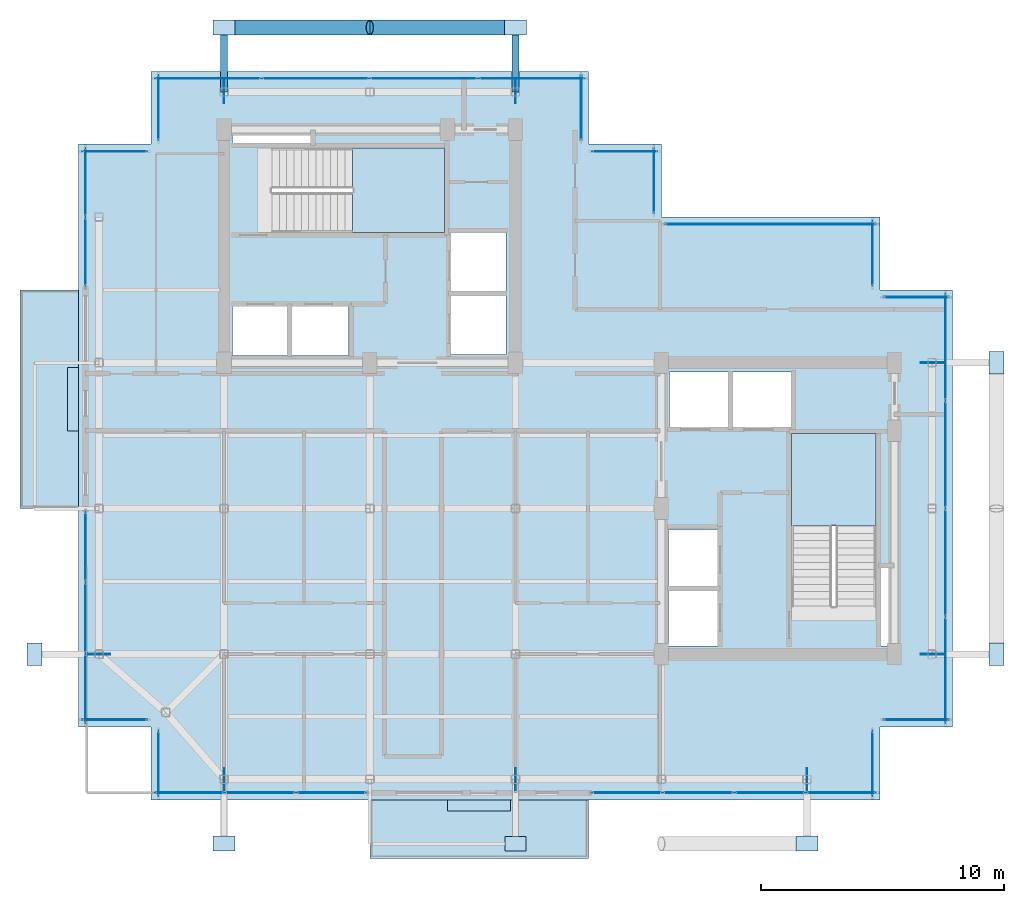
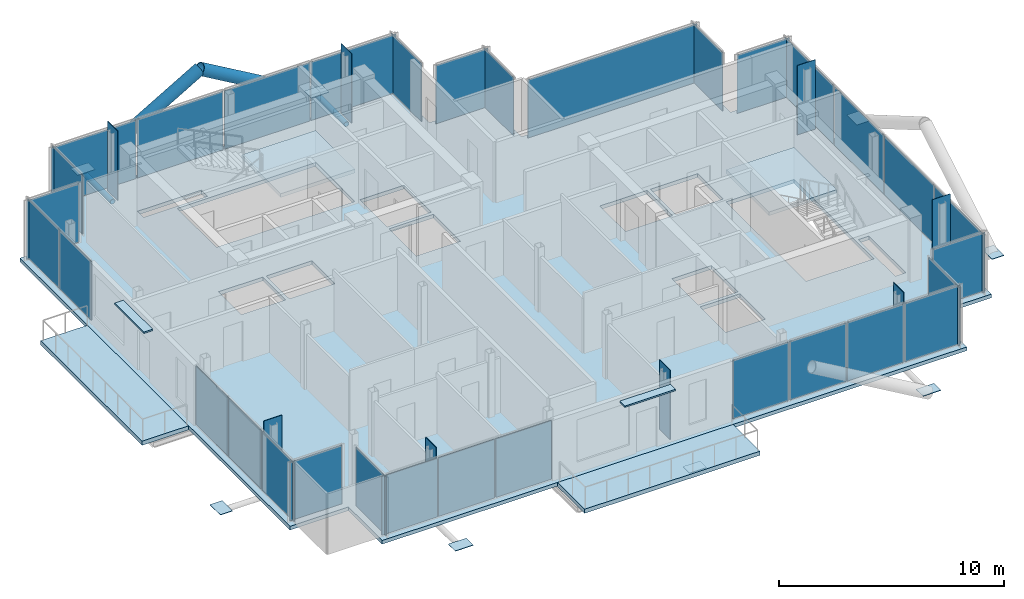
# One storey, part 13 of 18: 50 plates, 5 slabs, 4 members, 20 elements without a shape of their own.
"""IFC4 building model written with IfcOpenShell, lengths in metres."""

import ifcopenshell
import ifcopenshell.guid

model = None  # the IFC model being written
_history = None  # IfcOwnerHistory: only IFC2X3 demands one
_inside = {}  # id of a spatial element -> (the spatial element, [elements in it])
_under = {}  # id of a project, library or spatial element -> (it, [spatial elements below it])
_declared = {}  # id of a project -> (the project, [libraries it declares])
_typed = {}  # id of a type object -> (the type object, [elements of that type])
_made_of = {}  # id of a material, layer set ... -> (it, [elements and type objects made of it])


def new_model(schema):
    """Start an empty IFC model of exactly this schema.

    Asked for "IFC4X3", IfcOpenShell would pick the latest addendum, in which some entities
    have other attributes; the version numbers below select the first issue.
    IFC2X3 requires an IfcOwnerHistory on every rooted entity: one is made here for all.
    """
    global model, _history
    if schema == "IFC4X3":
        model = ifcopenshell.file(schema_version=(4, 3, 0, 0))
    else:
        model = ifcopenshell.file(schema=schema)
    _inside.clear()
    _under.clear()
    _declared.clear()
    _typed.clear()
    _made_of.clear()
    _history = None
    if model.schema == "IFC2X3":
        org = make("IfcOrganization", Name="unknown")
        user = make(
            "IfcPersonAndOrganization",
            ThePerson=make("IfcPerson", FamilyName="unknown"),
            TheOrganization=org,
        )
        app = make(
            "IfcApplication",
            ApplicationDeveloper=org,
            Version="unknown",
            ApplicationFullName="unknown",
            ApplicationIdentifier="unknown",
        )
        _history = make(
            "IfcOwnerHistory",
            OwningUser=user,
            OwningApplication=app,
            ChangeAction="ADDED",
            CreationDate=0,
        )
    return model


def make(cls, **values):
    """One entity of the class cls with the attributes given. An attribute that is None is left unset."""
    return model.create_entity(
        cls, **{name: value for name, value in values.items() if value is not None}
    )


def rooted(cls, **values):
    """An entity with a GlobalId (a new one), such as an element, a storey or a relation."""
    return make(cls, GlobalId=ifcopenshell.guid.new(), OwnerHistory=_history, **values)


def si_unit(unit_type, name, prefix=None):
    """IfcSIUnit, for example si_unit("LENGTHUNIT", "METRE", prefix="MILLI")."""
    return make("IfcSIUnit", UnitType=unit_type, Prefix=prefix, Name=name)


def assignment(units):
    """IfcUnitAssignment: the units of a project."""
    return None if units is None else make("IfcUnitAssignment", Units=units)


def point(xyz):
    """IfcCartesianPoint."""
    return None if xyz is None else make("IfcCartesianPoint", Coordinates=xyz)


def direction(xyz):
    """IfcDirection."""
    return None if xyz is None else make("IfcDirection", DirectionRatios=xyz)


def frame(location, z_axis=None, x_axis=None):
    """IfcAxis2Placement3D, a coordinate frame: its origin and axes. An axis left out is left unset."""
    return make(
        "IfcAxis2Placement3D",
        Location=point(location),
        Axis=direction(z_axis),
        RefDirection=direction(x_axis),
    )


def frame_2d(location, x_axis=None):
    """IfcAxis2Placement2D, a coordinate frame in the plane: its origin and x axis."""
    return make(
        "IfcAxis2Placement2D", Location=point(location), RefDirection=direction(x_axis)
    )


def origin():
    """The frame at (0, 0, 0) with its axes left unset."""
    return frame((0.0, 0.0, 0.0))


def origin_2d():
    """The frame at (0, 0) in the plane with its x axis left unset."""
    return frame_2d((0.0, 0.0))


def place(relative_to, where):
    """IfcLocalPlacement: puts the frame where relative to a parent placement (None: the world)."""
    return make(
        "IfcLocalPlacement", PlacementRelTo=relative_to, RelativePlacement=where
    )


def context(
    kind, dimensions, precision=None, world=None, true_north=None, identifier=None
):
    """IfcGeometricRepresentationContext, for example the 3D "Model" context."""
    return make(
        "IfcGeometricRepresentationContext",
        ContextIdentifier=identifier,
        ContextType=kind,
        CoordinateSpaceDimension=dimensions,
        Precision=precision,
        WorldCoordinateSystem=world,
        TrueNorth=true_north,
    )


def subcontext(parent, identifier, kind, view, scale=None):
    """IfcGeometricRepresentationSubContext, for example "Body" below "Model"."""
    return make(
        "IfcGeometricRepresentationSubContext",
        ContextIdentifier=identifier,
        ContextType=kind,
        ParentContext=parent,
        TargetScale=scale,
        TargetView=view,
    )


def project(units=None, contexts=None):
    """IfcProject with its units and contexts."""
    return rooted(
        "IfcProject",
        Name="project",
        RepresentationContexts=contexts,
        UnitsInContext=assignment(units),
    )


def spatial(cls, under=None, at=None, **own):
    """A site, building, storey or space (cls), placed at a placement, below another one or the project."""
    s = rooted(cls, ObjectPlacement=at, **own)
    if under is not None:
        _under.setdefault(under.id(), (under, []))[1].append(s)
    return s


def polyline(points):
    """IfcPolyline through the points."""
    return make("IfcPolyline", Points=[point(p) for p in points])


def profile(cls, at=None, kind="AREA", **sizes):
    """A parametric profile (cls). Its sizes go by their IFC names, for example OverallWidth=200.0."""
    return make(cls, ProfileType=kind, Position=at, **sizes)


def rectangle(**sizes):
    """IfcRectangleProfileDef."""
    return profile("IfcRectangleProfileDef", **sizes)


def hollow_circle(**sizes):
    """IfcCircleHollowProfileDef."""
    return profile("IfcCircleHollowProfileDef", **sizes)


def outline(outer, holes=None, kind="AREA"):
    """IfcArbitraryClosedProfileDef: a profile drawn as a closed curve; with holes, ...WithVoids."""
    if holes is None:
        return make("IfcArbitraryClosedProfileDef", ProfileType=kind, OuterCurve=outer)
    return make(
        "IfcArbitraryProfileDefWithVoids",
        ProfileType=kind,
        OuterCurve=outer,
        InnerCurves=holes,
    )


def extrude(swept, where, along, depth):
    """IfcExtrudedAreaSolid: the profile swept, set in the frame where, extruded along a direction by depth."""
    return make(
        "IfcExtrudedAreaSolid",
        SweptArea=swept,
        Position=where,
        ExtrudedDirection=direction(along),
        Depth=depth,
    )


def shape(context_of_items, identifier, shape_type, items):
    """IfcShapeRepresentation: the items that make up one representation, for example the "Body"."""
    return make(
        "IfcShapeRepresentation",
        ContextOfItems=context_of_items,
        RepresentationIdentifier=identifier,
        RepresentationType=shape_type,
        Items=items,
    )


def material(Name=None, Category=None):
    """IfcMaterial."""
    return make("IfcMaterial", Name=Name, Category=Category)


def layer(
    of_material, thickness, ventilated=None, Name=None, Category=None, Priority=None
):
    """IfcMaterialLayer: one layer of a wall or slab, of a material (None: an air gap)."""
    return make(
        "IfcMaterialLayer",
        Material=of_material,
        LayerThickness=thickness,
        IsVentilated=ventilated,
        Name=Name,
        Category=Category,
        Priority=Priority,
    )


def layer_set(layers, Name=None):
    """IfcMaterialLayerSet."""
    return make("IfcMaterialLayerSet", MaterialLayers=layers, LayerSetName=Name)


def material_profile(
    of_material, cross_section, Name=None, Category=None, Priority=None
):
    """IfcMaterialProfile: a cross section and its material."""
    return make(
        "IfcMaterialProfile",
        Name=Name,
        Material=of_material,
        Profile=cross_section,
        Priority=Priority,
        Category=Category,
    )


def profile_set(profiles, Name=None, composite=None):
    """IfcMaterialProfileSet."""
    return make(
        "IfcMaterialProfileSet",
        Name=Name,
        MaterialProfiles=profiles,
        CompositeProfile=composite,
    )


def made_of(thing, what):
    """Note that an element or type object is made of a material, layer set ...; save() writes the relation."""
    if what is not None:
        _made_of.setdefault(what.id(), (what, []))[1].append(thing)
    return thing


def type_object(cls, material=None, **own):
    """A type object (cls), such as IfcWallType, which elements share."""
    return made_of(rooted(cls, **own), material)


def element(
    cls,
    number,
    at=None,
    inside=None,
    cuts=None,
    type_object=None,
    material=None,
    context=None,
    identifier="Body",
    shape_type=None,
    held_by="IfcProductDefinitionShape",
    body=None,
    shapes=None,
    **own,
):
    """One element of the class cls, such as IfcWall. Its Tag is "e" and its number.

    at: its placement. inside: the storey or other place that contains it. cuts: it is an
    opening in that element (IfcRelVoidsElement). A single representation is given by context,
    identifier, shape_type and body (its items); several are given by shapes. held_by: the class
    of the entity that holds the representations. save() writes the other relations.
    """
    e = rooted(cls, Tag="e%d" % number, ObjectPlacement=at, **own)
    if body is not None:
        shapes = [shape(context, identifier, shape_type, body)]
    if shapes is not None:
        e.Representation = make(held_by, Representations=shapes)
    if inside is not None:
        _inside.setdefault(inside.id(), (inside, []))[1].append(e)
    if cuts is not None:
        rooted(
            "IfcRelVoidsElement", RelatingBuildingElement=cuts, RelatedOpeningElement=e
        )
    if type_object is not None:
        _typed.setdefault(type_object.id(), (type_object, []))[1].append(e)
    return made_of(e, material)


def aggregate(whole, parts):
    """IfcRelAggregates: a whole, such as a stair, and the parts it consists of."""
    return rooted("IfcRelAggregates", RelatingObject=whole, RelatedObjects=parts)


def save(model, path):
    """Write the relations noted so far, then the file.

    IfcRelAggregates (storeys below a building ...), IfcRelContainedInSpatialStructure (elements
    in a storey), IfcRelDefinesByType, IfcRelAssociatesMaterial and IfcRelDeclares: one each for
    every whole, place, type object, material and project.
    """
    for whole, parts in _under.values():
        aggregate(whole, parts)
    for where, things in _inside.values():
        rooted(
            "IfcRelContainedInSpatialStructure",
            RelatedElements=things,
            RelatingStructure=where,
        )
    for kind, things in _typed.values():
        rooted("IfcRelDefinesByType", RelatedObjects=things, RelatingType=kind)
    for what, things in _made_of.values():
        rooted("IfcRelAssociatesMaterial", RelatedObjects=things, RelatingMaterial=what)
    for by, libraries in _declared.values():
        rooted("IfcRelDeclares", RelatingContext=by, RelatedDefinitions=libraries)
    model.write(path)


model = new_model("IFC4")

# Units and contexts
model_context = context("Model", 3, precision=1e-05, world=origin(), true_north=direction((0.0, 1.0)))
body_context = subcontext(model_context, "Body", "Model", "MODEL_VIEW")
ifc_project = project(units=[si_unit("LENGTHUNIT", "METRE"), si_unit("AREAUNIT", "SQUARE_METRE"), si_unit("VOLUMEUNIT", "CUBIC_METRE"), si_unit("PLANEANGLEUNIT", "RADIAN"), si_unit("MASSUNIT", "GRAM", prefix="KILO"), si_unit("THERMODYNAMICTEMPERATUREUNIT", "KELVIN"), si_unit("POWERUNIT", "WATT")], contexts=[model_context])

# Site, building, storey
site_placement = place(None, origin())
site = spatial("IfcSite", under=ifc_project, at=site_placement, CompositionType="ELEMENT")
building_placement = place(site_placement, origin())
building = spatial("IfcBuilding", under=site, at=building_placement, Name="Svarakhadi Broadcast Tower", CompositionType="ELEMENT")
storey_placement = place(building_placement, frame((0.0, 0.0, 250.199951171875)))
storey = spatial("IfcBuildingStorey", under=building, at=storey_placement, Name="L62", CompositionType="ELEMENT", Elevation=250.199951171875)

# Members
ifc_material_1 = material(Name="Steel S460ML (IS 2062 E450BR)", Category="steel")
ifc_material_profile_1 = material_profile(ifc_material_1, hollow_circle(Radius=0.304931640625, WallThickness=0.030029296875, at=origin_2d()), Name="CHS 610x30")
ifc_profile_set_1 = profile_set([ifc_material_profile_1], Name="Steel S460ML (IS 2062 E450BR)")
member_type_1 = type_object("IfcMemberType", Name="Exo_Brace_CHS610", PredefinedType="BRACE", material=ifc_profile_set_1)
for number, where, z_axis, x_axis, name in (
    (1, (6.0, 31.800048828125, -0.33642578125), (0.863778900898, 0.0, 0.503871025524), (0.0, 1.0, 0.0), "L62 Exposed Bronze Exoskeleton Diagonal N04"),
    (2, (18.0, 31.800048828125, -0.33642578125), (-0.863778900898, 0.0, 0.503871025524), (0.0, -1.0, 0.0), "L62 Exposed Bronze Exoskeleton Diagonal N05"),
):
    element("IfcMember", number, at=place(storey_placement, frame(where, z_axis=z_axis, x_axis=x_axis)), inside=storey, type_object=member_type_1, Name=name, PredefinedType="BRACE", context=body_context, shape_type="SweptSolid", body=[
        extrude(hollow_circle(Radius=0.304931640625, WallThickness=0.030029296875, at=origin_2d()), origin(), (0.0, 0.0, 1.0), 6.9462890625),
    ])
ifc_material_profile_2 = material_profile(ifc_material_1, hollow_circle(Radius=0.136474609375, WallThickness=0.012451171875, at=origin_2d()), Name="CHS 273x12.5")
ifc_profile_set_2 = profile_set([ifc_material_profile_2], Name="Steel S460ML (IS 2062 E450BR)")
member_type_2 = type_object("IfcMemberType", Name="Exo_Radial_Strut_Z3", PredefinedType="STRUT", material=ifc_profile_set_2)
for number, where, z_axis, x_axis, name in (
    (3, (6.0, 31.800048828125, -0.33642578125), (0.0, -1.0, 0.0), (1.0, 0.0, 0.0), "L62 Exoskeleton Radial Tie Strut N07"),
    (4, (18.0, 31.800048828125, -0.33642578125), (0.0, -1.0, 0.0), (1.0, 0.0, 0.0), "L62 Exoskeleton Radial Tie Strut N08"),
):
    element("IfcMember", number, at=place(storey_placement, frame(where, z_axis=z_axis, x_axis=x_axis)), inside=storey, type_object=member_type_2, Name=name, PredefinedType="STRUT", context=body_context, shape_type="SweptSolid", body=[
        extrude(hollow_circle(Radius=0.136474609375, WallThickness=0.012451171875, at=origin_2d()), origin(), (0.0, 0.0, 1.0), 2.650146484375),
    ])

# Curtain wall, plate
ifc_material_2 = material(Name="Anodised Bronze Aluminium AA 6063-T6", Category="aluminium")
ifc_layer_1 = layer(ifc_material_2, 0.179931640625)
ifc_layer_set_1 = layer_set([ifc_layer_1], Name="Anodised Bronze Aluminium AA 6063-T6")
curtain_wall_type = type_object("IfcCurtainWallType", Name="CW_Sys_05", PredefinedType="NOTDEFINED", material=ifc_layer_set_1)
curtain_wall_1_placement = place(storey_placement, origin())
curtain_wall_1 = element("IfcCurtainWall", 5, at=curtain_wall_1_placement, inside=storey, type_object=curtain_wall_type, Name="L62 Unitised Facade Curtain Wall 01", PredefinedType="NOTDEFINED")
ifc_material_3 = material(Name="Double Low-E Laminated Acoustic Glass IGU 36 mm", Category="glass")
ifc_layer_2 = layer(ifc_material_3, 0.033935546875)
ifc_layer_set_2 = layer_set([ifc_layer_2], Name="Double Low-E Laminated Acoustic Glass IGU 36 mm")
plate_type_1 = type_object("IfcPlateType", Name="CW_Sys_05_Pnl", PredefinedType="CURTAIN_PANEL", material=ifc_layer_set_2)
plate_1_placement = place(storey_placement, frame((1.5, 3.300048828125, 0.065185546875), z_axis=(0.0, 0.0, 1.0), x_axis=(-1.0, 0.0, 0.0)))
plate_1 = element("IfcPlate", 6, at=plate_1_placement, type_object=plate_type_1, Name="CW-05 panel 1.1", PredefinedType="CURTAIN_PANEL", context=body_context, shape_type="SweptSolid", body=[
    extrude(rectangle(XDim=2.679931640625, YDim=0.033935546875, at=origin_2d()), origin(), (0.0, 0.0, 1.0), 3.169921875),
])
aggregate(curtain_wall_1, [plate_1])

# Curtain wall, plates
curtain_wall_2_placement = place(storey_placement, origin())
curtain_wall_2 = element("IfcCurtainWall", 7, at=curtain_wall_2_placement, inside=storey, type_object=curtain_wall_type, Name="L62 West Curtain Wall 02", PredefinedType="NOTDEFINED")
plate_2_placement = place(storey_placement, frame((0.300048828125, 4.577392578125, 0.065185546875), z_axis=(0.0, 0.0, 1.0), x_axis=(0.0, 1.0, 0.0)))
plate_2 = element("IfcPlate", 8, at=plate_2_placement, type_object=plate_type_1, Name="CW-05 panel 1.1", PredefinedType="CURTAIN_PANEL", context=body_context, shape_type="SweptSolid", body=[
    extrude(rectangle(XDim=2.8349609375, YDim=0.033935546875, at=origin_2d()), origin(), (0.0, 0.0, 1.0), 3.169921875),
])
plate_3_placement = place(storey_placement, frame((0.300048828125, 7.5, 0.065185546875), z_axis=(0.0, 0.0, 1.0), x_axis=(0.0, 1.0, 0.0)))
plate_3 = element("IfcPlate", 9, at=plate_3_placement, type_object=plate_type_1, Name="CW-05 panel 2.1", PredefinedType="CURTAIN_PANEL", context=body_context, shape_type="SweptSolid", body=[
    extrude(rectangle(XDim=2.8701171875, YDim=0.033935546875, at=origin_2d()), origin(), (0.0, 0.0, 1.0), 3.169921875),
])
plate_4_placement = place(storey_placement, frame((0.300048828125, 10.422607421875, 0.065185546875), z_axis=(0.0, 0.0, 1.0), x_axis=(0.0, 1.0, 0.0)))
plate_4 = element("IfcPlate", 10, at=plate_4_placement, type_object=plate_type_1, Name="CW-05 panel 3.1", PredefinedType="CURTAIN_PANEL", context=body_context, shape_type="SweptSolid", body=[
    extrude(rectangle(XDim=2.8349609375, YDim=0.033935546875, at=origin_2d()), origin(), (0.0, 0.0, 1.0), 3.169921875),
])
aggregate(curtain_wall_2, [plate_2, plate_3, plate_4])

curtain_wall_3_placement = place(storey_placement, origin())
curtain_wall_3 = element("IfcCurtainWall", 11, at=curtain_wall_3_placement, inside=storey, type_object=curtain_wall_type, Name="L62 West Curtain Wall 03", PredefinedType="NOTDEFINED")
plate_5_placement = place(storey_placement, frame((0.300048828125, 22.5625, 0.065185546875), z_axis=(0.0, 0.0, 1.0), x_axis=(0.0, 1.0, 0.0)))
plate_5 = element("IfcPlate", 12, at=plate_5_placement, type_object=plate_type_1, Name="CW-05 panel 1.1", PredefinedType="CURTAIN_PANEL", context=body_context, shape_type="SweptSolid", body=[
    extrude(rectangle(XDim=2.804931640625, YDim=0.033935546875, at=origin_2d()), origin(), (0.0, 0.0, 1.0), 3.169921875),
])
plate_6_placement = place(storey_placement, frame((0.300048828125, 25.4375, 0.065185546875), z_axis=(0.0, 0.0, 1.0), x_axis=(0.0, 1.0, 0.0)))
plate_6 = element("IfcPlate", 13, at=plate_6_placement, type_object=plate_type_1, Name="CW-05 panel 2.1", PredefinedType="CURTAIN_PANEL", context=body_context, shape_type="SweptSolid", body=[
    extrude(rectangle(XDim=2.804931640625, YDim=0.033935546875, at=origin_2d()), origin(), (0.0, 0.0, 1.0), 3.169921875),
])
aggregate(curtain_wall_3, [plate_5, plate_6])

# Curtain wall, plate
curtain_wall_4_placement = place(storey_placement, origin())
curtain_wall_4 = element("IfcCurtainWall", 14, at=curtain_wall_4_placement, inside=storey, type_object=curtain_wall_type, Name="L62 Unitised Facade Curtain Wall 04", PredefinedType="NOTDEFINED")
plate_7_placement = place(storey_placement, frame((1.5, 26.699951171875, 0.065185546875), z_axis=(0.0, 0.0, 1.0), x_axis=(1.0, 0.0, 0.0)))
plate_7 = element("IfcPlate", 15, at=plate_7_placement, type_object=plate_type_1, Name="CW-05 panel 1.1", PredefinedType="CURTAIN_PANEL", context=body_context, shape_type="SweptSolid", body=[
    extrude(rectangle(XDim=2.679931640625, YDim=0.033935546875, at=origin_2d()), origin(), (0.0, 0.0, 1.0), 3.169921875),
])
aggregate(curtain_wall_4, [plate_7])

curtain_wall_5_placement = place(storey_placement, origin())
curtain_wall_5 = element("IfcCurtainWall", 16, at=curtain_wall_5_placement, inside=storey, type_object=curtain_wall_type, Name="L62 Unitised Facade Curtain Wall 05", PredefinedType="NOTDEFINED")
plate_8_placement = place(storey_placement, frame((3.300048828125, 28.5, 0.065185546875), z_axis=(0.0, 0.0, 1.0), x_axis=(0.0, 1.0, 0.0)))
plate_8 = element("IfcPlate", 17, at=plate_8_placement, type_object=plate_type_1, Name="CW-05 panel 1.1", PredefinedType="CURTAIN_PANEL", context=body_context, shape_type="SweptSolid", body=[
    extrude(rectangle(XDim=2.679931640625, YDim=0.033935546875, at=origin_2d()), origin(), (0.0, 0.0, 1.0), 3.169921875),
])
aggregate(curtain_wall_5, [plate_8])

# Curtain wall, plates
curtain_wall_6_placement = place(storey_placement, origin())
curtain_wall_6 = element("IfcCurtainWall", 18, at=curtain_wall_6_placement, inside=storey, type_object=curtain_wall_type, Name="L62 Unitised Facade Curtain Wall 06", PredefinedType="NOTDEFINED")
plate_9_placement = place(storey_placement, frame((5.3349609375, 29.699951171875, 0.065185546875), z_axis=(0.0, 0.0, 1.0), x_axis=(1.0, 0.0, 0.0)))
plate_9 = element("IfcPlate", 19, at=plate_9_placement, type_object=plate_type_1, Name="CW-05 panel 1.1", PredefinedType="CURTAIN_PANEL", context=body_context, shape_type="SweptSolid", body=[
    extrude(rectangle(XDim=4.35009765625, YDim=0.033935546875, at=origin_2d()), origin(), (0.0, 0.0, 1.0), 3.169921875),
])
plate_10_placement = place(storey_placement, frame((9.7724609375, 29.699951171875, 0.065185546875), z_axis=(0.0, 0.0, 1.0), x_axis=(1.0, 0.0, 0.0)))
plate_10 = element("IfcPlate", 20, at=plate_10_placement, type_object=plate_type_1, Name="CW-05 panel 2.1", PredefinedType="CURTAIN_PANEL", context=body_context, shape_type="SweptSolid", body=[
    extrude(rectangle(XDim=4.385009765625, YDim=0.033935546875, at=origin_2d()), origin(), (0.0, 0.0, 1.0), 3.169921875),
])
plate_11_placement = place(storey_placement, frame((14.2275390625, 29.699951171875, 0.065185546875), z_axis=(0.0, 0.0, 1.0), x_axis=(1.0, 0.0, 0.0)))
plate_11 = element("IfcPlate", 21, at=plate_11_placement, type_object=plate_type_1, Name="CW-05 panel 3.1", PredefinedType="CURTAIN_PANEL", context=body_context, shape_type="SweptSolid", body=[
    extrude(rectangle(XDim=4.385009765625, YDim=0.033935546875, at=origin_2d()), origin(), (0.0, 0.0, 1.0), 3.169921875),
])
plate_12_placement = place(storey_placement, frame((18.6650390625, 29.699951171875, 0.065185546875), z_axis=(0.0, 0.0, 1.0), x_axis=(1.0, 0.0, 0.0)))
plate_12 = element("IfcPlate", 22, at=plate_12_placement, type_object=plate_type_1, Name="CW-05 panel 4.1", PredefinedType="CURTAIN_PANEL", context=body_context, shape_type="SweptSolid", body=[
    extrude(rectangle(XDim=4.35009765625, YDim=0.033935546875, at=origin_2d()), origin(), (0.0, 0.0, 1.0), 3.169921875),
])
aggregate(curtain_wall_6, [plate_9, plate_10, plate_11, plate_12])

# Curtain wall, plate
curtain_wall_7_placement = place(storey_placement, origin())
curtain_wall_7 = element("IfcCurtainWall", 23, at=curtain_wall_7_placement, inside=storey, type_object=curtain_wall_type, Name="L62 Unitised Facade Curtain Wall 07", PredefinedType="NOTDEFINED")
plate_13_placement = place(storey_placement, frame((20.699951171875, 28.5, 0.065185546875), z_axis=(0.0, 0.0, 1.0), x_axis=(0.0, -1.0, 0.0)))
plate_13 = element("IfcPlate", 24, at=plate_13_placement, type_object=plate_type_1, Name="CW-05 panel 1.1", PredefinedType="CURTAIN_PANEL", context=body_context, shape_type="SweptSolid", body=[
    extrude(rectangle(XDim=2.679931640625, YDim=0.033935546875, at=origin_2d()), origin(), (0.0, 0.0, 1.0), 3.169921875),
])
aggregate(curtain_wall_7, [plate_13])

curtain_wall_8_placement = place(storey_placement, origin())
curtain_wall_8 = element("IfcCurtainWall", 25, at=curtain_wall_8_placement, inside=storey, type_object=curtain_wall_type, Name="L62 Unitised Facade Curtain Wall 08", PredefinedType="NOTDEFINED")
plate_14_placement = place(storey_placement, frame((22.5, 26.699951171875, 0.065185546875), z_axis=(0.0, 0.0, 1.0), x_axis=(1.0, 0.0, 0.0)))
plate_14 = element("IfcPlate", 26, at=plate_14_placement, type_object=plate_type_1, Name="CW-05 panel 1.1", PredefinedType="CURTAIN_PANEL", context=body_context, shape_type="SweptSolid", body=[
    extrude(rectangle(XDim=2.679931640625, YDim=0.033935546875, at=origin_2d()), origin(), (0.0, 0.0, 1.0), 3.169921875),
])
aggregate(curtain_wall_8, [plate_14])

curtain_wall_9_placement = place(storey_placement, origin())
curtain_wall_9 = element("IfcCurtainWall", 27, at=curtain_wall_9_placement, inside=storey, type_object=curtain_wall_type, Name="L62 Unitised Facade Curtain Wall 09", PredefinedType="NOTDEFINED")
plate_15_placement = place(storey_placement, frame((23.699951171875, 25.5, 0.065185546875), z_axis=(0.0, 0.0, 1.0), x_axis=(0.0, -1.0, 0.0)))
plate_15 = element("IfcPlate", 28, at=plate_15_placement, type_object=plate_type_1, Name="CW-05 panel 1.1", PredefinedType="CURTAIN_PANEL", context=body_context, shape_type="SweptSolid", body=[
    extrude(rectangle(XDim=2.679931640625, YDim=0.033935546875, at=origin_2d()), origin(), (0.0, 0.0, 1.0), 3.169921875),
])
aggregate(curtain_wall_9, [plate_15])

curtain_wall_10_placement = place(storey_placement, origin())
curtain_wall_10 = element("IfcCurtainWall", 29, at=curtain_wall_10_placement, inside=storey, type_object=curtain_wall_type, Name="L62 Unitised Facade Curtain Wall 10", PredefinedType="NOTDEFINED")
plate_16_placement = place(storey_placement, frame((28.5, 23.699951171875, 0.065185546875), z_axis=(0.0, 0.0, 1.0), x_axis=(1.0, 0.0, 0.0)))
plate_16 = element("IfcPlate", 30, at=plate_16_placement, type_object=plate_type_1, Name="CW-05 panel 1.1", PredefinedType="CURTAIN_PANEL", context=body_context, shape_type="SweptSolid", body=[
    extrude(rectangle(XDim=8.679931640625, YDim=0.033935546875, at=origin_2d()), origin(), (0.0, 0.0, 1.0), 3.169921875),
])
aggregate(curtain_wall_10, [plate_16])

curtain_wall_11_placement = place(storey_placement, origin())
curtain_wall_11 = element("IfcCurtainWall", 31, at=curtain_wall_11_placement, inside=storey, type_object=curtain_wall_type, Name="L62 Unitised Facade Curtain Wall 11", PredefinedType="NOTDEFINED")
plate_17_placement = place(storey_placement, frame((32.699951171875, 22.5, 0.065185546875), z_axis=(0.0, 0.0, 1.0), x_axis=(0.0, -1.0, 0.0)))
plate_17 = element("IfcPlate", 32, at=plate_17_placement, type_object=plate_type_1, Name="CW-05 panel 1.1", PredefinedType="CURTAIN_PANEL", context=body_context, shape_type="SweptSolid", body=[
    extrude(rectangle(XDim=2.679931640625, YDim=0.033935546875, at=origin_2d()), origin(), (0.0, 0.0, 1.0), 3.169921875),
])
aggregate(curtain_wall_11, [plate_17])

curtain_wall_12_placement = place(storey_placement, origin())
curtain_wall_12 = element("IfcCurtainWall", 33, at=curtain_wall_12_placement, inside=storey, type_object=curtain_wall_type, Name="L62 Unitised Facade Curtain Wall 12", PredefinedType="NOTDEFINED")
plate_18_placement = place(storey_placement, frame((34.5, 20.699951171875, 0.065185546875), z_axis=(0.0, 0.0, 1.0), x_axis=(1.0, 0.0, 0.0)))
plate_18 = element("IfcPlate", 34, at=plate_18_placement, type_object=plate_type_1, Name="CW-05 panel 1.1", PredefinedType="CURTAIN_PANEL", context=body_context, shape_type="SweptSolid", body=[
    extrude(rectangle(XDim=2.679931640625, YDim=0.033935546875, at=origin_2d()), origin(), (0.0, 0.0, 1.0), 3.169921875),
])
aggregate(curtain_wall_12, [plate_18])

# Curtain wall, plates
curtain_wall_13_placement = place(storey_placement, origin())
curtain_wall_13 = element("IfcCurtainWall", 35, at=curtain_wall_13_placement, inside=storey, type_object=curtain_wall_type, Name="L62 Unitised Facade Curtain Wall 13", PredefinedType="NOTDEFINED")
plate_19_placement = place(storey_placement, frame((35.699951171875, 18.6650390625, 0.065185546875), z_axis=(0.0, 0.0, 1.0), x_axis=(0.0, -1.0, 0.0)))
plate_19 = element("IfcPlate", 36, at=plate_19_placement, type_object=plate_type_1, Name="CW-05 panel 1.1", PredefinedType="CURTAIN_PANEL", context=body_context, shape_type="SweptSolid", body=[
    extrude(rectangle(XDim=4.35009765625, YDim=0.033935546875, at=origin_2d()), origin(), (0.0, 0.0, 1.0), 3.169921875),
])
plate_20_placement = place(storey_placement, frame((35.699951171875, 14.2275390625, 0.065185546875), z_axis=(0.0, 0.0, 1.0), x_axis=(0.0, -1.0, 0.0)))
plate_20 = element("IfcPlate", 37, at=plate_20_placement, type_object=plate_type_1, Name="CW-05 panel 2.1", PredefinedType="CURTAIN_PANEL", context=body_context, shape_type="SweptSolid", body=[
    extrude(rectangle(XDim=4.385009765625, YDim=0.033935546875, at=origin_2d()), origin(), (0.0, 0.0, 1.0), 3.169921875),
])
plate_21_placement = place(storey_placement, frame((35.699951171875, 9.7724609375, 0.065185546875), z_axis=(0.0, 0.0, 1.0), x_axis=(0.0, -1.0, 0.0)))
plate_21 = element("IfcPlate", 38, at=plate_21_placement, type_object=plate_type_1, Name="CW-05 panel 3.1", PredefinedType="CURTAIN_PANEL", context=body_context, shape_type="SweptSolid", body=[
    extrude(rectangle(XDim=4.385009765625, YDim=0.033935546875, at=origin_2d()), origin(), (0.0, 0.0, 1.0), 3.169921875),
])
plate_22_placement = place(storey_placement, frame((35.699951171875, 5.3349609375, 0.065185546875), z_axis=(0.0, 0.0, 1.0), x_axis=(0.0, -1.0, 0.0)))
plate_22 = element("IfcPlate", 39, at=plate_22_placement, type_object=plate_type_1, Name="CW-05 panel 4.1", PredefinedType="CURTAIN_PANEL", context=body_context, shape_type="SweptSolid", body=[
    extrude(rectangle(XDim=4.35009765625, YDim=0.033935546875, at=origin_2d()), origin(), (0.0, 0.0, 1.0), 3.169921875),
])
aggregate(curtain_wall_13, [plate_19, plate_20, plate_21, plate_22])

# Curtain wall, plate
curtain_wall_14_placement = place(storey_placement, origin())
curtain_wall_14 = element("IfcCurtainWall", 40, at=curtain_wall_14_placement, inside=storey, type_object=curtain_wall_type, Name="L62 Unitised Facade Curtain Wall 14", PredefinedType="NOTDEFINED")
plate_23_placement = place(storey_placement, frame((34.5, 3.300048828125, 0.065185546875), z_axis=(0.0, 0.0, 1.0), x_axis=(-1.0, 0.0, 0.0)))
plate_23 = element("IfcPlate", 41, at=plate_23_placement, type_object=plate_type_1, Name="CW-05 panel 1.1", PredefinedType="CURTAIN_PANEL", context=body_context, shape_type="SweptSolid", body=[
    extrude(rectangle(XDim=2.679931640625, YDim=0.033935546875, at=origin_2d()), origin(), (0.0, 0.0, 1.0), 3.169921875),
])
aggregate(curtain_wall_14, [plate_23])

curtain_wall_15_placement = place(storey_placement, origin())
curtain_wall_15 = element("IfcCurtainWall", 42, at=curtain_wall_15_placement, inside=storey, type_object=curtain_wall_type, Name="L62 Unitised Facade Curtain Wall 15", PredefinedType="NOTDEFINED")
plate_24_placement = place(storey_placement, frame((32.699951171875, 1.5, 0.065185546875), z_axis=(0.0, 0.0, 1.0), x_axis=(0.0, -1.0, 0.0)))
plate_24 = element("IfcPlate", 43, at=plate_24_placement, type_object=plate_type_1, Name="CW-05 panel 1.1", PredefinedType="CURTAIN_PANEL", context=body_context, shape_type="SweptSolid", body=[
    extrude(rectangle(XDim=2.679931640625, YDim=0.033935546875, at=origin_2d()), origin(), (0.0, 0.0, 1.0), 3.169921875),
])
aggregate(curtain_wall_15, [plate_24])

# Curtain wall, plates
curtain_wall_16_placement = place(storey_placement, origin())
curtain_wall_16 = element("IfcCurtainWall", 44, at=curtain_wall_16_placement, inside=storey, type_object=curtain_wall_type, Name="L62 South Curtain Wall 16", PredefinedType="NOTDEFINED")
plate_25_placement = place(storey_placement, frame((31.4150390625, 0.300048828125, 0.065185546875), z_axis=(0.0, 0.0, 1.0), x_axis=(-1.0, 0.0, 0.0)))
plate_25 = element("IfcPlate", 45, at=plate_25_placement, type_object=plate_type_1, Name="CW-05 panel 1.1", PredefinedType="CURTAIN_PANEL", context=body_context, shape_type="SweptSolid", body=[
    extrude(rectangle(XDim=2.85009765625, YDim=0.033935546875, at=origin_2d()), origin(), (0.0, 0.0, 1.0), 3.169921875),
])
plate_26_placement = place(storey_placement, frame((28.4775390625, 0.300048828125, 0.065185546875), z_axis=(0.0, 0.0, 1.0), x_axis=(-1.0, 0.0, 0.0)))
plate_26 = element("IfcPlate", 46, at=plate_26_placement, type_object=plate_type_1, Name="CW-05 panel 2.1", PredefinedType="CURTAIN_PANEL", context=body_context, shape_type="SweptSolid", body=[
    extrude(rectangle(XDim=2.885009765625, YDim=0.033935546875, at=origin_2d()), origin(), (0.0, 0.0, 1.0), 3.169921875),
])
plate_27_placement = place(storey_placement, frame((25.5224609375, 0.300048828125, 0.065185546875), z_axis=(0.0, 0.0, 1.0), x_axis=(-1.0, 0.0, 0.0)))
plate_27 = element("IfcPlate", 47, at=plate_27_placement, type_object=plate_type_1, Name="CW-05 panel 3.1", PredefinedType="CURTAIN_PANEL", context=body_context, shape_type="SweptSolid", body=[
    extrude(rectangle(XDim=2.885009765625, YDim=0.033935546875, at=origin_2d()), origin(), (0.0, 0.0, 1.0), 3.169921875),
])
plate_28_placement = place(storey_placement, frame((22.5849609375, 0.300048828125, 0.065185546875), z_axis=(0.0, 0.0, 1.0), x_axis=(-1.0, 0.0, 0.0)))
plate_28 = element("IfcPlate", 48, at=plate_28_placement, type_object=plate_type_1, Name="CW-05 panel 4.1", PredefinedType="CURTAIN_PANEL", context=body_context, shape_type="SweptSolid", body=[
    extrude(rectangle(XDim=2.85009765625, YDim=0.033935546875, at=origin_2d()), origin(), (0.0, 0.0, 1.0), 3.169921875),
])
aggregate(curtain_wall_16, [plate_25, plate_26, plate_27, plate_28])

curtain_wall_17_placement = place(storey_placement, origin())
curtain_wall_17 = element("IfcCurtainWall", 49, at=curtain_wall_17_placement, inside=storey, type_object=curtain_wall_type, Name="L62 South Curtain Wall 17", PredefinedType="NOTDEFINED")
plate_29_placement = place(storey_placement, frame((10.422607421875, 0.300048828125, 0.065185546875), z_axis=(0.0, 0.0, 1.0), x_axis=(-1.0, 0.0, 0.0)))
plate_29 = element("IfcPlate", 50, at=plate_29_placement, type_object=plate_type_1, Name="CW-05 panel 1.1", PredefinedType="CURTAIN_PANEL", context=body_context, shape_type="SweptSolid", body=[
    extrude(rectangle(XDim=2.8349609375, YDim=0.033935546875, at=origin_2d()), origin(), (0.0, 0.0, 1.0), 3.169921875),
])
plate_30_placement = place(storey_placement, frame((7.5, 0.300048828125, 0.065185546875), z_axis=(0.0, 0.0, 1.0), x_axis=(-1.0, 0.0, 0.0)))
plate_30 = element("IfcPlate", 51, at=plate_30_placement, type_object=plate_type_1, Name="CW-05 panel 2.1", PredefinedType="CURTAIN_PANEL", context=body_context, shape_type="SweptSolid", body=[
    extrude(rectangle(XDim=2.8701171875, YDim=0.033935546875, at=origin_2d()), origin(), (0.0, 0.0, 1.0), 3.169921875),
])
plate_31_placement = place(storey_placement, frame((4.577392578125, 0.300048828125, 0.065185546875), z_axis=(0.0, 0.0, 1.0), x_axis=(-1.0, 0.0, 0.0)))
plate_31 = element("IfcPlate", 52, at=plate_31_placement, type_object=plate_type_1, Name="CW-05 panel 3.1", PredefinedType="CURTAIN_PANEL", context=body_context, shape_type="SweptSolid", body=[
    extrude(rectangle(XDim=2.8349609375, YDim=0.033935546875, at=origin_2d()), origin(), (0.0, 0.0, 1.0), 3.169921875),
])
aggregate(curtain_wall_17, [plate_29, plate_30, plate_31])

# Curtain wall, plate
curtain_wall_18_placement = place(storey_placement, origin())
curtain_wall_18 = element("IfcCurtainWall", 53, at=curtain_wall_18_placement, inside=storey, type_object=curtain_wall_type, Name="L62 Unitised Facade Curtain Wall 18", PredefinedType="NOTDEFINED")
plate_32_placement = place(storey_placement, frame((3.300048828125, 1.5, 0.065185546875), z_axis=(0.0, 0.0, 1.0), x_axis=(0.0, 1.0, 0.0)))
plate_32 = element("IfcPlate", 54, at=plate_32_placement, type_object=plate_type_1, Name="CW-05 panel 1.1", PredefinedType="CURTAIN_PANEL", context=body_context, shape_type="SweptSolid", body=[
    extrude(rectangle(XDim=2.679931640625, YDim=0.033935546875, at=origin_2d()), origin(), (0.0, 0.0, 1.0), 3.169921875),
])
aggregate(curtain_wall_18, [plate_32])

# Plates
ifc_layer_3 = layer(ifc_material_1, 0.02490234375)
ifc_layer_set_3 = layer_set([ifc_layer_3], Name="Steel S460ML (IS 2062 E450BR)")
plate_type_2 = type_object("IfcPlateType", Name="Node_Gusset_N05", PredefinedType="SHEET", material=ifc_layer_set_3)
plate_33_placement = place(storey_placement, frame((18.0, -1.800048828125, -0.199951171875), z_axis=(0.0, 0.0, 1.0), x_axis=(1.0, 0.0, 0.0)))
element("IfcPlate", 55, at=plate_33_placement, inside=storey, type_object=plate_type_2, Name="L62 Exoskeleton Gusset Node Plate S02", PredefinedType="SHEET", context=body_context, shape_type="SweptSolid", body=[
    extrude(rectangle(XDim=0.8798828125, YDim=0.60009765625, at=origin_2d()), origin(), (0.0, 0.0, 1.0), 0.02490234375),
])
ifc_layer_4 = layer(ifc_material_1, 0.02587890625)
ifc_layer_set_4 = layer_set([ifc_layer_4], Name="Steel S460ML (IS 2062 E450BR)")
plate_type_3 = type_object("IfcPlateType", Name="Node_Gusset_N07", PredefinedType="SHEET", material=ifc_layer_set_4)
for number, where, z_axis, x_axis, name in (
    (56, (6.0, -1.800048828125, -0.199951171875), (0.0, 0.0, 1.0), (1.0, 0.0, 0.0), "L62 Exoskeleton Gusset Node Plate S01"),
    (57, (30.0, -1.800048828125, -0.199951171875), (0.0, 0.0, 1.0), (1.0, 0.0, 0.0), "L62 Exoskeleton Gusset Node Plate S03"),
    (58, (-1.800048828125, 6.0, -0.199951171875), (0.0, 0.0, 1.0), (0.0, 1.0, 0.0), "L62 Exoskeleton Gusset Node Plate W04"),
    (59, (37.800048828125, 6.0, -0.199951171875), (0.0, 0.0, 1.0), (0.0, 1.0, 0.0), "L62 Exoskeleton Gusset Node Plate E05"),
    (60, (37.800048828125, 18.0, -0.199951171875), (0.0, 0.0, 1.0), (0.0, 1.0, 0.0), "L62 Exoskeleton Gusset Node Plate E06"),
    (61, (6.0, 31.800048828125, -0.199951171875), (0.0, 0.0, 1.0), (1.0, 0.0, 0.0), "L62 Exoskeleton Gusset Node Plate N07"),
    (62, (18.0, 31.800048828125, -0.199951171875), (0.0, 0.0, 1.0), (1.0, 0.0, 0.0), "L62 Exoskeleton Gusset Node Plate N08"),
):
    element("IfcPlate", number, at=place(storey_placement, frame(where, z_axis=z_axis, x_axis=x_axis)), inside=storey, type_object=plate_type_3, Name=name, PredefinedType="SHEET", context=body_context, shape_type="SweptSolid", body=[
        extrude(rectangle(XDim=0.919921875, YDim=0.6201171875, at=origin_2d()), origin(), (0.0, 0.0, 1.0), 0.02587890625),
    ])
for number, where, z_axis, x_axis, name in (
    (63, (6.0, 0.85009765625, -0.53662109375), (0.0, 0.0, 1.0), (0.0, 1.0, 0.0), "L62 Brace End Connection Gusset Plate N-07-E0501"),
    (64, (18.0, 0.85009765625, -0.53662109375), (0.0, 0.0, 1.0), (0.0, 1.0, 0.0), "L62 Brace End Connection Gusset Plate N-07-E0502"),
    (65, (30.0, 0.85009765625, -0.53662109375), (0.0, 0.0, 1.0), (0.0, 1.0, 0.0), "L62 Brace End Connection Gusset Plate N-07-E0503"),
    (66, (0.85009765625, 6.0, -0.53662109375), (0.0, 0.0, 1.0), (1.0, 0.0, 0.0), "L62 Brace End Connection Gusset Plate N-07-E0504"),
    (67, (35.14990234375, 6.0, -0.53662109375), (0.0, 0.0, 1.0), (1.0, 0.0, 0.0), "L62 Brace End Connection Gusset Plate N-07-E0505"),
    (68, (35.14990234375, 18.0, -0.53662109375), (0.0, 0.0, 1.0), (1.0, 0.0, 0.0), "L62 Brace End Connection Gusset Plate N-07-E0506"),
    (69, (6.0, 29.14990234375, -0.53662109375), (0.0, 0.0, 1.0), (0.0, 1.0, 0.0), "L62 Brace End Connection Gusset Plate N-07-E0507"),
    (70, (18.0, 29.14990234375, -0.53662109375), (0.0, 0.0, 1.0), (0.0, 1.0, 0.0), "L62 Brace End Connection Gusset Plate N-07-E0508"),
):
    element("IfcPlate", number, at=place(storey_placement, frame(where, z_axis=z_axis, x_axis=x_axis)), inside=storey, type_object=plate_type_3, Name=name, PredefinedType="SHEET", context=body_context, shape_type="SweptSolid", body=[
        extrude(rectangle(XDim=0.919921875, YDim=0.02587890625, at=origin_2d()), origin(), (0.0, 0.0, 1.0), 4.300048828125),
    ])

# Slab
ifc_material_4 = material(Name="Concrete C40/50 (IS 456 M50)", Category="concrete")
ifc_layer_5 = layer(ifc_material_4, 0.199951171875)
ifc_layer_set_5 = layer_set([ifc_layer_5], Name="Concrete C40/50 (IS 456 M50)")
slab_type_1 = type_object("IfcSlabType", Name="Slab_Floor_200", PredefinedType="FLOOR", material=ifc_layer_set_5)
slab_1_placement = place(storey_placement, frame((0.0, 0.0, -0.199951171875)))
element("IfcSlab", 71, at=slab_1_placement, inside=storey, type_object=slab_type_1, Name="L62 Structural Floor Slab", PredefinedType="FLOOR", context=body_context, shape_type="SweptSolid", body=[
    extrude(outline(polyline([(3.0, 0.0), (33.0, 0.0), (33.0, 3.0), (36.0, 3.0), (36.0, 21.0), (33.0, 21.0), (33.0, 24.0), (24.0, 24.0), (24.0, 27.0), (21.0, 27.0), (21.0, 30.0), (3.0, 30.0), (3.0, 27.0), (0.0, 27.0), (0.0, 3.0), (3.0, 3.0), (3.0, 0.0)]), holes=[polyline([(7.97998046875, 23.360107421875), (15.080078125, 23.360107421875), (15.080078125, 26.840087890625), (7.97998046875, 26.840087890625), (7.97998046875, 23.360107421875)]), polyline([(32.840087890625, 7.97998046875), (32.840087890625, 15.080078125), (29.360107421875, 15.080078125), (29.360107421875, 7.97998046875), (32.840087890625, 7.97998046875)]), polyline([(6.340087890625, 18.2900390625), (8.610107421875, 18.2900390625), (8.610107421875, 20.330078125), (6.340087890625, 20.330078125), (6.340087890625, 18.2900390625)]), polyline([(8.7900390625, 18.2900390625), (11.1298828125, 18.2900390625), (11.1298828125, 20.330078125), (8.7900390625, 20.330078125), (8.7900390625, 18.2900390625)]), polyline([(24.2900390625, 6.340087890625), (26.330078125, 6.340087890625), (26.330078125, 8.610107421875), (24.2900390625, 8.610107421875), (24.2900390625, 6.340087890625)]), polyline([(24.2900390625, 8.7900390625), (26.330078125, 8.7900390625), (26.330078125, 11.1298828125), (24.2900390625, 11.1298828125), (24.2900390625, 8.7900390625)]), polyline([(6.340087890625, 26.989990234375), (9.610107421875, 26.989990234375), (9.610107421875, 27.530029296875), (6.340087890625, 27.530029296875), (6.340087890625, 26.989990234375)]), polyline([(32.989990234375, 6.340087890625), (33.530029296875, 6.340087890625), (33.530029296875, 9.610107421875), (32.989990234375, 9.610107421875), (32.989990234375, 6.340087890625)]), polyline([(15.340087890625, 18.340087890625), (17.610107421875, 18.340087890625), (17.610107421875, 20.760009765625), (15.340087890625, 20.760009765625), (15.340087890625, 18.340087890625)]), polyline([(15.340087890625, 20.93994140625), (17.610107421875, 20.93994140625), (17.610107421875, 23.360107421875), (15.340087890625, 23.360107421875), (15.340087890625, 20.93994140625)]), polyline([(24.340087890625, 15.340087890625), (26.760009765625, 15.340087890625), (26.760009765625, 17.610107421875), (24.340087890625, 17.610107421875), (24.340087890625, 15.340087890625)]), polyline([(26.93994140625, 15.340087890625), (29.360107421875, 15.340087890625), (29.360107421875, 17.610107421875), (26.93994140625, 17.610107421875), (26.93994140625, 15.340087890625)])]), origin(), (0.0, 0.0, 1.0), 0.199951171875),
])

# Stair, slab
stair_type = type_object("IfcStairType", Name="Stair_Exit_Core", PredefinedType="HALF_TURN_STAIR", material=ifc_material_4)
stair_1_placement = place(storey_placement, origin())
stair_1 = element("IfcStair", 72, at=stair_1_placement, inside=storey, type_object=stair_type, Name="L62 West Core Protected Exit Stair ST-01", PredefinedType="HALF_TURN_STAIR")
ifc_layer_6 = layer(ifc_material_4, 0.199951171875)
ifc_layer_set_6 = layer_set([ifc_layer_6], Name="Concrete C40/50 (IS 456 M50)")
slab_type_2 = type_object("IfcSlabType", Name="Slab_Stair_Land", PredefinedType="LANDING", material=ifc_layer_set_6)
slab_2_placement = place(storey_placement, frame((0.0, 0.0, 1.550048828125)))
slab_2 = element("IfcSlab", 73, at=slab_2_placement, type_object=slab_type_2, Name="ST-01 landing 1", PredefinedType="LANDING", context=body_context, shape_type="SweptSolid", body=[
    extrude(outline(polyline([(11.280029296875, 23.360107421875), (15.080078125, 23.360107421875), (15.080078125, 26.840087890625), (11.280029296875, 26.840087890625), (11.280029296875, 23.360107421875)])), origin(), (0.0, 0.0, 1.0), 0.199951171875),
])
aggregate(stair_1, [slab_2])

stair_2_placement = place(storey_placement, origin())
stair_2 = element("IfcStair", 74, at=stair_2_placement, inside=storey, type_object=stair_type, Name="L62 East Core Protected Exit Stair ST-02", PredefinedType="HALF_TURN_STAIR")
slab_3_placement = place(storey_placement, frame((0.0, 0.0, 1.550048828125)))
slab_3 = element("IfcSlab", 75, at=slab_3_placement, type_object=slab_type_2, Name="ST-02 landing 1", PredefinedType="LANDING", context=body_context, shape_type="SweptSolid", body=[
    extrude(outline(polyline([(32.840087890625, 11.280029296875), (32.840087890625, 15.080078125), (29.360107421875, 15.080078125), (29.360107421875, 11.280029296875), (32.840087890625, 11.280029296875)])), origin(), (0.0, 0.0, 1.0), 0.199951171875),
])
aggregate(stair_2, [slab_3])

# Slabs
ifc_layer_7 = layer(ifc_material_4, 0.22509765625)
ifc_layer_set_7 = layer_set([ifc_layer_7], Name="Concrete C40/50 (IS 456 M50)")
slab_type_3 = type_object("IfcSlabType", Name="Slab_TreeBalcony", PredefinedType="FLOOR", material=ifc_layer_set_7)
slab_4_placement = place(storey_placement, frame((0.0, 0.0, -0.224853515625)))
element("IfcSlab", 76, at=slab_4_placement, inside=storey, type_object=slab_type_3, Name="L62 Planted Tree Balcony Slab BAL-S", PredefinedType="FLOOR", context=body_context, shape_type="SweptSolid", body=[
    extrude(outline(polyline([(12.0, -2.39990234375), (21.0, -2.39990234375), (21.0, 0.0), (12.0, 0.0), (12.0, -2.39990234375)])), origin(), (0.0, 0.0, 1.0), 0.224853515625),
])
slab_5_placement = place(storey_placement, frame((0.0, 0.0, -0.224853515625)))
element("IfcSlab", 77, at=slab_5_placement, inside=storey, type_object=slab_type_3, Name="L62 Planted Tree Balcony Slab BAL-W", PredefinedType="FLOOR", context=body_context, shape_type="SweptSolid", body=[
    extrude(outline(polyline([(-2.39990234375, 12.0), (0.0, 12.0), (0.0, 21.0), (-2.39990234375, 21.0), (-2.39990234375, 12.0)])), origin(), (0.0, 0.0, 1.0), 0.224853515625),
])

# Plates
ifc_layer_8 = layer(ifc_material_2, 0.080078125)
ifc_layer_set_8 = layer_set([ifc_layer_8], Name="Anodised Bronze Aluminium AA 6063-T6")
plate_type_4 = type_object("IfcPlateType", Name="Sunshade_Fin_SS01", PredefinedType="USERDEFINED", material=ifc_layer_set_8)
for number, where, z_axis, x_axis, name in (
    (78, (16.5, -0.22509765625, 3.219970703125), (0.0, 0.0, 1.0), (1.0, 0.0, 0.0), "L62 South Bronze Brise-Soleil Sunshade SS-01"),
    (79, (-0.22509765625, 16.5, 3.219970703125), (0.0, 0.0, 1.0), (0.0, 1.0, 0.0), "L62 West Bronze Brise-Soleil Sunshade SS-01"),
):
    element("IfcPlate", number, at=place(storey_placement, frame(where, z_axis=z_axis, x_axis=x_axis)), inside=storey, type_object=plate_type_4, Name=name, ObjectType="SUNSHADE", PredefinedType="USERDEFINED", context=body_context, shape_type="SweptSolid", body=[
        extrude(rectangle(XDim=2.60009765625, YDim=0.449951171875, at=origin_2d()), origin(), (0.0, 0.0, 1.0), 0.080078125),
    ])

save(model, "model.ifc")
